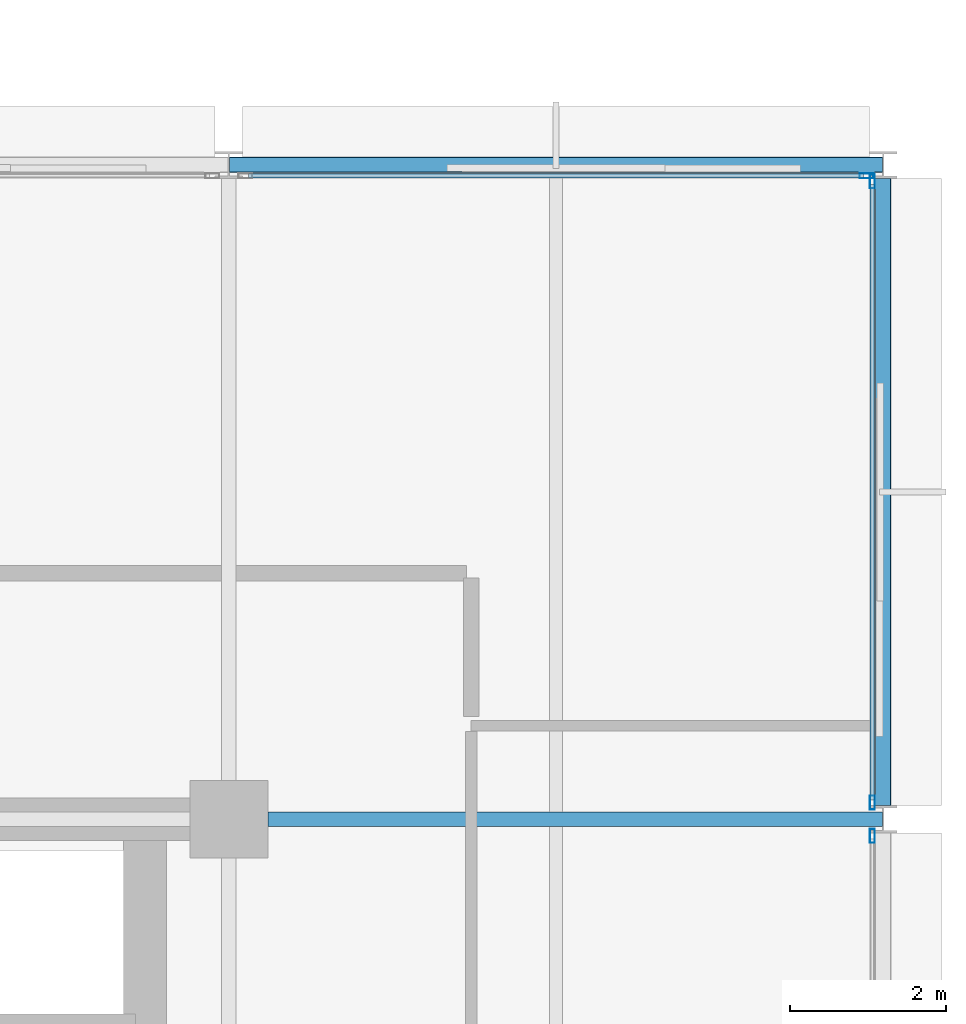
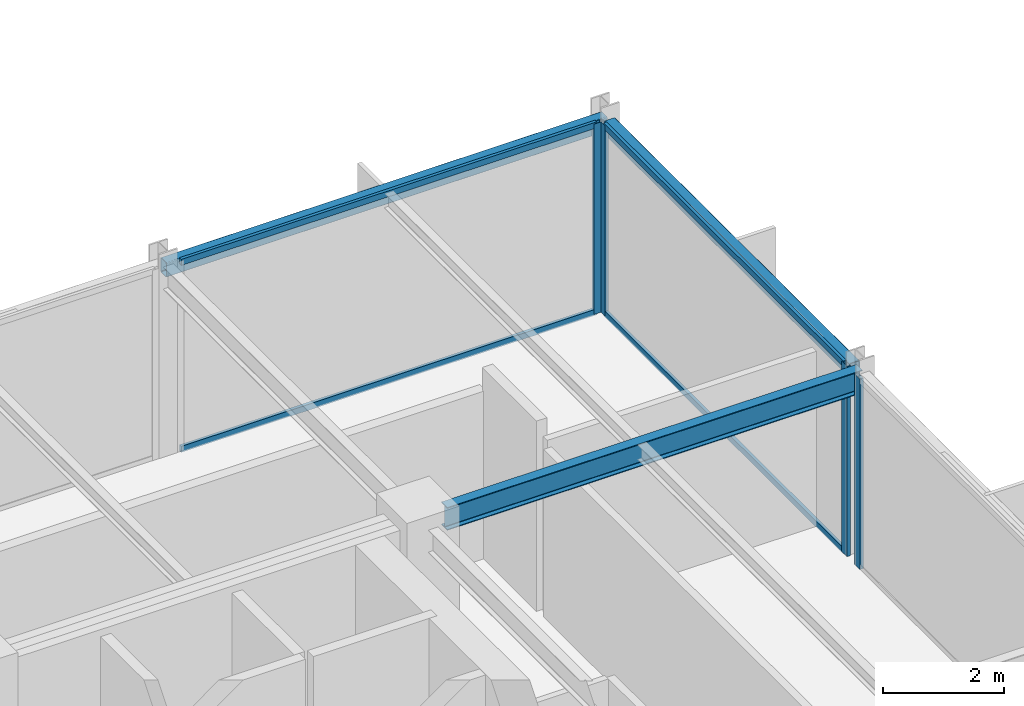
# One storey, part 16 of 30: 8 members, 3 beams, 3 elements without a shape of their own.
"""IFC4 building model written with IfcOpenShell, lengths in metres."""

import ifcopenshell
import ifcopenshell.guid

model = None  # the IFC model being written
_history = None  # IfcOwnerHistory: only IFC2X3 demands one
_inside = {}  # id of a spatial element -> (the spatial element, [elements in it])
_under = {}  # id of a project, library or spatial element -> (it, [spatial elements below it])
_declared = {}  # id of a project -> (the project, [libraries it declares])
_typed = {}  # id of a type object -> (the type object, [elements of that type])
_made_of = {}  # id of a material, layer set ... -> (it, [elements and type objects made of it])


def new_model(schema):
    """Start an empty IFC model of exactly this schema.

    Asked for "IFC4X3", IfcOpenShell would pick the latest addendum, in which some entities
    have other attributes; the version numbers below select the first issue.
    IFC2X3 requires an IfcOwnerHistory on every rooted entity: one is made here for all.
    """
    global model, _history
    if schema == "IFC4X3":
        model = ifcopenshell.file(schema_version=(4, 3, 0, 0))
    else:
        model = ifcopenshell.file(schema=schema)
    _inside.clear()
    _under.clear()
    _declared.clear()
    _typed.clear()
    _made_of.clear()
    _history = None
    if model.schema == "IFC2X3":
        org = make("IfcOrganization", Name="unknown")
        user = make(
            "IfcPersonAndOrganization",
            ThePerson=make("IfcPerson", FamilyName="unknown"),
            TheOrganization=org,
        )
        app = make(
            "IfcApplication",
            ApplicationDeveloper=org,
            Version="unknown",
            ApplicationFullName="unknown",
            ApplicationIdentifier="unknown",
        )
        _history = make(
            "IfcOwnerHistory",
            OwningUser=user,
            OwningApplication=app,
            ChangeAction="ADDED",
            CreationDate=0,
        )
    return model


def make(cls, **values):
    """One entity of the class cls with the attributes given. An attribute that is None is left unset."""
    return model.create_entity(
        cls, **{name: value for name, value in values.items() if value is not None}
    )


def rooted(cls, **values):
    """An entity with a GlobalId (a new one), such as an element, a storey or a relation."""
    return make(cls, GlobalId=ifcopenshell.guid.new(), OwnerHistory=_history, **values)


def si_unit(unit_type, name, prefix=None):
    """IfcSIUnit, for example si_unit("LENGTHUNIT", "METRE", prefix="MILLI")."""
    return make("IfcSIUnit", UnitType=unit_type, Prefix=prefix, Name=name)


def assignment(units):
    """IfcUnitAssignment: the units of a project."""
    return None if units is None else make("IfcUnitAssignment", Units=units)


def point(xyz):
    """IfcCartesianPoint."""
    return None if xyz is None else make("IfcCartesianPoint", Coordinates=xyz)


def direction(xyz):
    """IfcDirection."""
    return None if xyz is None else make("IfcDirection", DirectionRatios=xyz)


def frame(location, z_axis=None, x_axis=None):
    """IfcAxis2Placement3D, a coordinate frame: its origin and axes. An axis left out is left unset."""
    return make(
        "IfcAxis2Placement3D",
        Location=point(location),
        Axis=direction(z_axis),
        RefDirection=direction(x_axis),
    )


def frame_2d(location, x_axis=None):
    """IfcAxis2Placement2D, a coordinate frame in the plane: its origin and x axis."""
    return make(
        "IfcAxis2Placement2D", Location=point(location), RefDirection=direction(x_axis)
    )


def origin():
    """The frame at (0, 0, 0) with its axes left unset."""
    return frame((0.0, 0.0, 0.0))


def origin_2d():
    """The frame at (0, 0) in the plane with its x axis left unset."""
    return frame_2d((0.0, 0.0))


def place(relative_to, where):
    """IfcLocalPlacement: puts the frame where relative to a parent placement (None: the world)."""
    return make(
        "IfcLocalPlacement", PlacementRelTo=relative_to, RelativePlacement=where
    )


def context(
    kind, dimensions, precision=None, world=None, true_north=None, identifier=None
):
    """IfcGeometricRepresentationContext, for example the 3D "Model" context."""
    return make(
        "IfcGeometricRepresentationContext",
        ContextIdentifier=identifier,
        ContextType=kind,
        CoordinateSpaceDimension=dimensions,
        Precision=precision,
        WorldCoordinateSystem=world,
        TrueNorth=true_north,
    )


def subcontext(parent, identifier, kind, view, scale=None):
    """IfcGeometricRepresentationSubContext, for example "Body" below "Model"."""
    return make(
        "IfcGeometricRepresentationSubContext",
        ContextIdentifier=identifier,
        ContextType=kind,
        ParentContext=parent,
        TargetScale=scale,
        TargetView=view,
    )


def project(units=None, contexts=None):
    """IfcProject with its units and contexts."""
    return rooted(
        "IfcProject",
        Name="project",
        RepresentationContexts=contexts,
        UnitsInContext=assignment(units),
    )


def spatial(cls, under=None, at=None, **own):
    """A site, building, storey or space (cls), placed at a placement, below another one or the project."""
    s = rooted(cls, ObjectPlacement=at, **own)
    if under is not None:
        _under.setdefault(under.id(), (under, []))[1].append(s)
    return s


def profile(cls, at=None, kind="AREA", **sizes):
    """A parametric profile (cls). Its sizes go by their IFC names, for example OverallWidth=200.0."""
    return make(cls, ProfileType=kind, Position=at, **sizes)


def hollow_rectangle(**sizes):
    """IfcRectangleHollowProfileDef."""
    return profile("IfcRectangleHollowProfileDef", **sizes)


def i_section(**sizes):
    """IfcIShapeProfileDef."""
    return profile("IfcIShapeProfileDef", **sizes)


def extrude(swept, where, along, depth):
    """IfcExtrudedAreaSolid: the profile swept, set in the frame where, extruded along a direction by depth."""
    return make(
        "IfcExtrudedAreaSolid",
        SweptArea=swept,
        Position=where,
        ExtrudedDirection=direction(along),
        Depth=depth,
    )


def shape(context_of_items, identifier, shape_type, items):
    """IfcShapeRepresentation: the items that make up one representation, for example the "Body"."""
    return make(
        "IfcShapeRepresentation",
        ContextOfItems=context_of_items,
        RepresentationIdentifier=identifier,
        RepresentationType=shape_type,
        Items=items,
    )


def material(Name=None, Category=None):
    """IfcMaterial."""
    return make("IfcMaterial", Name=Name, Category=Category)


def layer(
    of_material, thickness, ventilated=None, Name=None, Category=None, Priority=None
):
    """IfcMaterialLayer: one layer of a wall or slab, of a material (None: an air gap)."""
    return make(
        "IfcMaterialLayer",
        Material=of_material,
        LayerThickness=thickness,
        IsVentilated=ventilated,
        Name=Name,
        Category=Category,
        Priority=Priority,
    )


def layer_set(layers, Name=None):
    """IfcMaterialLayerSet."""
    return make("IfcMaterialLayerSet", MaterialLayers=layers, LayerSetName=Name)


def material_profile(
    of_material, cross_section, Name=None, Category=None, Priority=None
):
    """IfcMaterialProfile: a cross section and its material."""
    return make(
        "IfcMaterialProfile",
        Name=Name,
        Material=of_material,
        Profile=cross_section,
        Priority=Priority,
        Category=Category,
    )


def profile_set(profiles, Name=None, composite=None):
    """IfcMaterialProfileSet."""
    return make(
        "IfcMaterialProfileSet",
        Name=Name,
        MaterialProfiles=profiles,
        CompositeProfile=composite,
    )


def made_of(thing, what):
    """Note that an element or type object is made of a material, layer set ...; save() writes the relation."""
    if what is not None:
        _made_of.setdefault(what.id(), (what, []))[1].append(thing)
    return thing


def type_object(cls, material=None, **own):
    """A type object (cls), such as IfcWallType, which elements share."""
    return made_of(rooted(cls, **own), material)


def element(
    cls,
    number,
    at=None,
    inside=None,
    cuts=None,
    type_object=None,
    material=None,
    context=None,
    identifier="Body",
    shape_type=None,
    held_by="IfcProductDefinitionShape",
    body=None,
    shapes=None,
    **own,
):
    """One element of the class cls, such as IfcWall. Its Tag is "e" and its number.

    at: its placement. inside: the storey or other place that contains it. cuts: it is an
    opening in that element (IfcRelVoidsElement). A single representation is given by context,
    identifier, shape_type and body (its items); several are given by shapes. held_by: the class
    of the entity that holds the representations. save() writes the other relations.
    """
    e = rooted(cls, Tag="e%d" % number, ObjectPlacement=at, **own)
    if body is not None:
        shapes = [shape(context, identifier, shape_type, body)]
    if shapes is not None:
        e.Representation = make(held_by, Representations=shapes)
    if inside is not None:
        _inside.setdefault(inside.id(), (inside, []))[1].append(e)
    if cuts is not None:
        rooted(
            "IfcRelVoidsElement", RelatingBuildingElement=cuts, RelatedOpeningElement=e
        )
    if type_object is not None:
        _typed.setdefault(type_object.id(), (type_object, []))[1].append(e)
    return made_of(e, material)


def aggregate(whole, parts):
    """IfcRelAggregates: a whole, such as a stair, and the parts it consists of."""
    return rooted("IfcRelAggregates", RelatingObject=whole, RelatedObjects=parts)


def save(model, path):
    """Write the relations noted so far, then the file.

    IfcRelAggregates (storeys below a building ...), IfcRelContainedInSpatialStructure (elements
    in a storey), IfcRelDefinesByType, IfcRelAssociatesMaterial and IfcRelDeclares: one each for
    every whole, place, type object, material and project.
    """
    for whole, parts in _under.values():
        aggregate(whole, parts)
    for where, things in _inside.values():
        rooted(
            "IfcRelContainedInSpatialStructure",
            RelatedElements=things,
            RelatingStructure=where,
        )
    for kind, things in _typed.values():
        rooted("IfcRelDefinesByType", RelatedObjects=things, RelatingType=kind)
    for what, things in _made_of.values():
        rooted("IfcRelAssociatesMaterial", RelatedObjects=things, RelatingMaterial=what)
    for by, libraries in _declared.values():
        rooted("IfcRelDeclares", RelatingContext=by, RelatedDefinitions=libraries)
    model.write(path)


model = new_model("IFC4")

# Units and contexts
model_context = context("Model", 3, precision=1e-05, world=origin(), true_north=direction((0.0, 1.0)))
body_context = subcontext(model_context, "Body", "Model", "MODEL_VIEW")
ifc_project = project(units=[si_unit("LENGTHUNIT", "METRE"), si_unit("AREAUNIT", "SQUARE_METRE"), si_unit("VOLUMEUNIT", "CUBIC_METRE"), si_unit("PLANEANGLEUNIT", "RADIAN"), si_unit("MASSUNIT", "GRAM", prefix="KILO")], contexts=[model_context])

# Site, building, storey
site_placement = place(None, origin())
site = spatial("IfcSite", under=ifc_project, at=site_placement, CompositionType="ELEMENT")
building_placement = place(site_placement, origin())
building = spatial("IfcBuilding", under=site, at=building_placement, Name="Nerrivon Quay Data Exchange", CompositionType="ELEMENT")
storey_placement = place(building_placement, frame((0.0, 0.0, 171.39990234375)))
storey = spatial("IfcBuildingStorey", under=building, at=storey_placement, Name="L40", CompositionType="ELEMENT", Elevation=171.39990234375)

# Beams
ifc_material_1 = material(Name="Steel Grade 350", Category="steel")
ifc_material_profile_1 = material_profile(ifc_material_1, i_section(OverallWidth=0.19091796875, OverallDepth=0.4599609375, WebThickness=0.010009765625, FlangeThickness=0.01611328125, FilletRadius=0.011474609375, at=origin_2d()), Name="460UB82.1")
ifc_profile_set_1 = profile_set([ifc_material_profile_1], Name="Steel Grade 350")
beam_type_1 = type_object("IfcBeamType", Name="BM-G5-460UB82", PredefinedType="BEAM", material=ifc_profile_set_1)
beam_1_placement = place(storey_placement, frame((34.10009765625, 16.800048828125, 3.59521484375), z_axis=(1.0, 0.0, 0.0), x_axis=(0.0, 1.0, 0.0)))
element("IfcBeam", 1, at=beam_1_placement, inside=storey, type_object=beam_type_1, Name="L40 EW Girder Y=16.8 (33.6..42.0)", PredefinedType="BEAM", context=body_context, shape_type="SweptSolid", body=[
    extrude(i_section(OverallWidth=0.19091796875, OverallDepth=0.4599609375, WebThickness=0.010009765625, FlangeThickness=0.01611328125, FilletRadius=0.011474609375, at=origin_2d()), origin(), (0.0, 0.0, 1.0), 7.889892578125),
])
ifc_material_2 = material(Name="Steel Grade C350L0 (350 MPa)", Category="steel")
ifc_material_profile_2 = material_profile(ifc_material_2, hollow_rectangle(XDim=0.199951171875, YDim=0.300048828125, WallThickness=0.012451171875, InnerFilletRadius=0.018798828125, OuterFilletRadius=0.03125, at=origin_2d()), Name="300x200x12.5RHS")
ifc_profile_set_2 = profile_set([ifc_material_profile_2], Name="Steel Grade C350L0 (350 MPa)")
beam_type_2 = type_object("IfcBeamType", Name="BM-SP3-300x200RHS", PredefinedType="SPANDREL", material=ifc_profile_set_2)
beam_2_placement = place(storey_placement, frame((33.610107421875, 25.199951171875, 3.675048828125), z_axis=(1.0, 0.0, 0.0), x_axis=(0.0, 1.0, 0.0)))
element("IfcBeam", 2, at=beam_2_placement, inside=storey, type_object=beam_type_2, Name="L40 EW Girder Y=25.2 (33.6..42.0)", PredefinedType="SPANDREL", context=body_context, shape_type="SweptSolid", body=[
    extrude(hollow_rectangle(XDim=0.199951171875, YDim=0.300048828125, WallThickness=0.012451171875, InnerFilletRadius=0.018798828125, OuterFilletRadius=0.03125, at=origin_2d()), origin(), (0.0, 0.0, 1.0), 8.3798828125),
])
beam_3_placement = place(storey_placement, frame((42.0, 16.97509765625, 3.675048828125), z_axis=(0.0, 1.0, 0.0), x_axis=(-1.0, 0.0, 0.0)))
element("IfcBeam", 3, at=beam_3_placement, inside=storey, type_object=beam_type_2, Name="L40 NS Girder X=42.0 (16.8..25.2)", PredefinedType="SPANDREL", context=body_context, shape_type="SweptSolid", body=[
    extrude(hollow_rectangle(XDim=0.199951171875, YDim=0.300048828125, WallThickness=0.012451171875, InnerFilletRadius=0.018798828125, OuterFilletRadius=0.03125, at=origin_2d()), origin(), (0.0, 0.0, 1.0), 8.0498046875),
])

# Curtain wall, member
ifc_material_3 = material(Name="Anodised aluminium 6063-T6", Category="aluminium")
ifc_layer = layer(ifc_material_3, 0.195068359375)
ifc_layer_set = layer_set([ifc_layer], Name="Anodised aluminium 6063-T6")
curtain_wall_type = type_object("IfcCurtainWallType", Name="CW-SYS-06", PredefinedType="NOTDEFINED", material=ifc_layer_set)
curtain_wall_1_placement = place(storey_placement, origin())
curtain_wall_1 = element("IfcCurtainWall", 4, at=curtain_wall_1_placement, inside=storey, type_object=curtain_wall_type, Name="L40 Unitised Curtain Wall 17", PredefinedType="NOTDEFINED")
ifc_material_profile_3 = material_profile(ifc_material_3, hollow_rectangle(XDim=0.06494140625, YDim=0.179931640625, WallThickness=0.00341796875, at=origin_2d()), Name="ALU-MULL-180x65")
ifc_profile_set_3 = profile_set([ifc_material_profile_3], Name="Anodised aluminium 6063-T6")
member_type_1 = type_object("IfcMemberType", Name="CWM-180x65", PredefinedType="MULLION", material=ifc_profile_set_3)
member_1_placement = place(storey_placement, frame((41.78759765625, 25.06005859375, 0.0), z_axis=(0.0, 0.0, 1.0), x_axis=(0.0, 1.0, 0.0)))
member_1 = element("IfcMember", 5, at=member_1_placement, type_object=member_type_1, Name="CW06 mullion 2", PredefinedType="MULLION", context=body_context, shape_type="SweptSolid", body=[
    extrude(hollow_rectangle(XDim=0.06494140625, YDim=0.179931640625, WallThickness=0.00341796875, at=origin_2d()), origin(), (0.0, 0.0, 1.0), 3.8251953125),
])

# Curtain wall, members
curtain_wall_2_placement = place(storey_placement, origin())
curtain_wall_2 = element("IfcCurtainWall", 6, at=curtain_wall_2_placement, inside=storey, type_object=curtain_wall_type, Name="L40 Unitised Curtain Wall 18", PredefinedType="NOTDEFINED")
member_2_placement = place(storey_placement, frame((41.860107421875, 24.987548828125, 0.0), z_axis=(0.0, 0.0, 1.0), x_axis=(1.0, 0.0, 0.0)))
member_2 = element("IfcMember", 7, at=member_2_placement, type_object=member_type_1, Name="CW06 mullion 1", PredefinedType="MULLION", context=body_context, shape_type="SweptSolid", body=[
    extrude(hollow_rectangle(XDim=0.06494140625, YDim=0.179931640625, WallThickness=0.00341796875, at=origin_2d()), origin(), (0.0, 0.0, 1.0), 3.8251953125),
])
member_3_placement = place(storey_placement, frame((41.860107421875, 17.012451171875, 0.0), z_axis=(0.0, 0.0, 1.0), x_axis=(1.0, 0.0, 0.0)))
member_3 = element("IfcMember", 8, at=member_3_placement, type_object=member_type_1, Name="CW06 mullion 2", PredefinedType="MULLION", context=body_context, shape_type="SweptSolid", body=[
    extrude(hollow_rectangle(XDim=0.06494140625, YDim=0.179931640625, WallThickness=0.00341796875, at=origin_2d()), origin(), (0.0, 0.0, 1.0), 3.8251953125),
])

# Curtain wall, member
curtain_wall_3_placement = place(storey_placement, origin())
curtain_wall_3 = element("IfcCurtainWall", 9, at=curtain_wall_3_placement, inside=storey, type_object=curtain_wall_type, Name="L40 Unitised Curtain Wall 19", PredefinedType="NOTDEFINED")
member_4_placement = place(storey_placement, frame((41.860107421875, 16.58740234375, 0.0), z_axis=(0.0, 0.0, 1.0), x_axis=(1.0, 0.0, 0.0)))
member_4 = element("IfcMember", 10, at=member_4_placement, type_object=member_type_1, Name="CW06 mullion 1", PredefinedType="MULLION", context=body_context, shape_type="SweptSolid", body=[
    extrude(hollow_rectangle(XDim=0.06494140625, YDim=0.179931640625, WallThickness=0.00341796875, at=origin_2d()), origin(), (0.0, 0.0, 1.0), 3.8251953125),
])
aggregate(curtain_wall_3, [member_4])

# Member
ifc_material_profile_4 = material_profile(ifc_material_3, hollow_rectangle(XDim=0.06005859375, YDim=0.1201171875, WallThickness=0.003173828125, at=origin_2d()), Name="ALU-TRAN-120x60")
ifc_profile_set_4 = profile_set([ifc_material_profile_4], Name="Anodised aluminium 6063-T6")
member_type_2 = type_object("IfcMemberType", Name="CWT-120x60", PredefinedType="USERDEFINED", material=ifc_profile_set_4)
member_5_placement = place(storey_placement, frame((33.85009765625, 25.06005859375, 0.03271484375), z_axis=(1.0, 0.0, 0.0), x_axis=(0.0, 1.0, 0.0)))
member_5 = element("IfcMember", 11, at=member_5_placement, type_object=member_type_2, Name="CW06 transom 1.1", ObjectType="TRANSOM", PredefinedType="USERDEFINED", context=body_context, shape_type="SweptSolid", body=[
    extrude(hollow_rectangle(XDim=0.06005859375, YDim=0.1201171875, WallThickness=0.003173828125, at=origin_2d()), origin(), (0.0, 0.0, 1.0), 7.89990234375),
])

member_6_placement = place(storey_placement, frame((33.85009765625, 25.06005859375, 3.79248046875), z_axis=(1.0, 0.0, 0.0), x_axis=(0.0, 1.0, 0.0)))
member_6 = element("IfcMember", 12, at=member_6_placement, type_object=member_type_2, Name="CW06 transom 1.2", ObjectType="TRANSOM", PredefinedType="USERDEFINED", context=body_context, shape_type="SweptSolid", body=[
    extrude(hollow_rectangle(XDim=0.06005859375, YDim=0.1201171875, WallThickness=0.003173828125, at=origin_2d()), origin(), (0.0, 0.0, 1.0), 7.89990234375),
])

aggregate(curtain_wall_1, [member_1, member_5, member_6])

member_7_placement = place(storey_placement, frame((41.860107421875, 24.949951171875, 0.03271484375), z_axis=(0.0, -1.0, 0.0), x_axis=(1.0, 0.0, 0.0)))
member_7 = element("IfcMember", 13, at=member_7_placement, type_object=member_type_2, Name="CW06 transom 1.1", ObjectType="TRANSOM", PredefinedType="USERDEFINED", context=body_context, shape_type="SweptSolid", body=[
    extrude(hollow_rectangle(XDim=0.06005859375, YDim=0.1201171875, WallThickness=0.003173828125, at=origin_2d()), origin(), (0.0, 0.0, 1.0), 7.89990234375),
])

member_8_placement = place(storey_placement, frame((41.860107421875, 24.949951171875, 3.79248046875), z_axis=(0.0, -1.0, 0.0), x_axis=(1.0, 0.0, 0.0)))
member_8 = element("IfcMember", 14, at=member_8_placement, type_object=member_type_2, Name="CW06 transom 1.2", ObjectType="TRANSOM", PredefinedType="USERDEFINED", context=body_context, shape_type="SweptSolid", body=[
    extrude(hollow_rectangle(XDim=0.06005859375, YDim=0.1201171875, WallThickness=0.003173828125, at=origin_2d()), origin(), (0.0, 0.0, 1.0), 7.89990234375),
])

aggregate(curtain_wall_2, [member_2, member_3, member_7, member_8])

save(model, "model.ifc")
